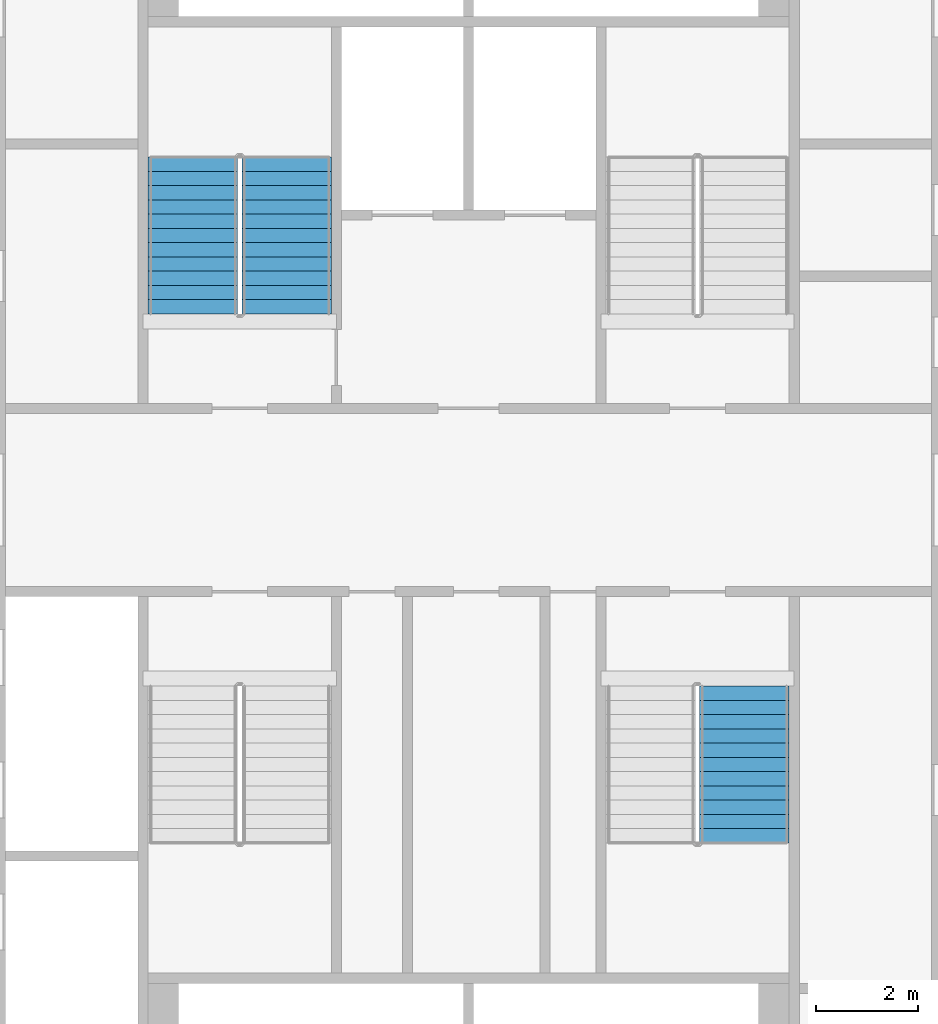
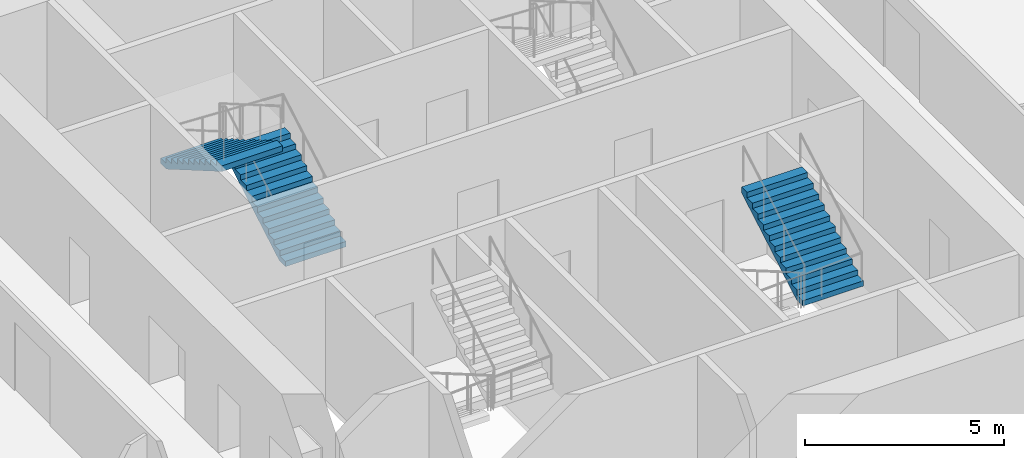
# One storey, part 9 of 15: 3 stair flights, 2 elements without a shape of their own.
"""IFC4 building model written with IfcOpenShell, lengths in metres."""

from ifc_helpers import new_model, si_unit, direction, frame, origin, place, context, subcontext, project, spatial, faceted_brep, material, type_object, element, aggregate, save


model = new_model("IFC4")

# Units and contexts
model_context = context("Model", 3, precision=1e-05, world=origin(), true_north=direction((0.0, 1.0)))
body_context = subcontext(model_context, "Body", "Model", "MODEL_VIEW")
ifc_project = project(units=[si_unit("LENGTHUNIT", "METRE"), si_unit("AREAUNIT", "SQUARE_METRE"), si_unit("VOLUMEUNIT", "CUBIC_METRE"), si_unit("PLANEANGLEUNIT", "RADIAN"), si_unit("MASSUNIT", "GRAM", prefix="KILO")], contexts=[model_context])

# Site, building, storey
site_placement = place(None, origin())
site = spatial("IfcSite", under=ifc_project, at=site_placement, CompositionType="ELEMENT")
building_placement = place(site_placement, origin())
building = spatial("IfcBuilding", under=site, at=building_placement, Name="Tarsis Ring Headquarters", CompositionType="ELEMENT")
storey_placement = place(building_placement, frame((0.0, 0.0, 51.699951171875)))
storey = spatial("IfcBuildingStorey", under=building, at=storey_placement, Name="L10", CompositionType="ELEMENT", Elevation=51.699951171875)

# Stair, stair flights
ifc_material_1 = material(Name="Core stair 1760")
stair_type = type_object("IfcStairType", Name="Core stair 1760", PredefinedType="HALF_TURN_STAIR", material=ifc_material_1)
stair_1_placement = place(storey_placement, origin())
stair_1 = element("IfcStair", 1, at=stair_1_placement, inside=storey, type_object=stair_type, Name="L10 Firefighting stair", PredefinedType="HALF_TURN_STAIR")
ifc_material_2 = material(Name="Concrete C40/50", Category="concrete")
stair_flight_type = type_object("IfcStairFlightType", Name="Core stair flight 1760", PredefinedType="STRAIGHT", material=ifc_material_2)
stair_flight_1_placement = place(storey_placement, frame((-3.580078125, 3.659912109375, 0.0), z_axis=(0.0, 0.0, 1.0), x_axis=(0.0, 1.0, 0.0)))
stair_flight_1 = element("IfcStairFlight", 2, at=stair_flight_1_placement, type_object=stair_flight_type, Name="Stair ST1 flight 1", NumberOfRisers=12, NumberOfTreads=11, PredefinedType="STRAIGHT", RiserHeight=0.1625, TreadLength=0.28, context=body_context, shape_type="Brep", body=[
    faceted_brep([(0.0, 0.8798828125, 0.0), (0.0, 0.8798828125, 0.16259765625), (0.280029296875, 0.8798828125, 0.16259765625), (0.280029296875, 0.8798828125, 0.324951171875), (0.56005859375, 0.8798828125, 0.324951171875), (0.56005859375, 0.8798828125, 0.487548828125), (0.840087890625, 0.8798828125, 0.487548828125), (0.840087890625, 0.8798828125, 0.64990234375), (1.1201171875, 0.8798828125, 0.64990234375), (1.1201171875, 0.8798828125, 0.8125), (1.39990234375, 0.8798828125, 0.8125), (1.39990234375, 0.8798828125, 0.97509765625), (1.679931640625, 0.8798828125, 0.97509765625), (1.679931640625, 0.8798828125, 1.137451171875), (1.9599609375, 0.8798828125, 1.137451171875), (1.9599609375, 0.8798828125, 1.300048828125), (2.239990234375, 0.8798828125, 1.300048828125), (2.239990234375, 0.8798828125, 1.46240234375), (2.52001953125, 0.8798828125, 1.46240234375), (2.52001953125, 0.8798828125, 1.625), (2.800048828125, 0.8798828125, 1.625), (2.800048828125, 0.8798828125, 1.78759765625), (3.080078125, 0.8798828125, 1.78759765625), (3.080078125, 0.8798828125, 1.6142578125), (0.298583984375, 0.8798828125, 0.0), (0.298583984375, -0.8798828125, 0.0), (3.080078125, -0.8798828125, 1.6142578125), (3.080078125, -0.8798828125, 1.78759765625), (2.800048828125, -0.8798828125, 1.78759765625), (2.800048828125, -0.8798828125, 1.625), (2.52001953125, -0.8798828125, 1.625), (2.52001953125, -0.8798828125, 1.46240234375), (2.239990234375, -0.8798828125, 1.46240234375), (2.239990234375, -0.8798828125, 1.300048828125), (1.9599609375, -0.8798828125, 1.300048828125), (1.9599609375, -0.8798828125, 1.137451171875), (1.679931640625, -0.8798828125, 1.137451171875), (1.679931640625, -0.8798828125, 0.97509765625), (1.39990234375, -0.8798828125, 0.97509765625), (1.39990234375, -0.8798828125, 0.8125), (1.1201171875, -0.8798828125, 0.8125), (1.1201171875, -0.8798828125, 0.64990234375), (0.840087890625, -0.8798828125, 0.64990234375), (0.840087890625, -0.8798828125, 0.487548828125), (0.56005859375, -0.8798828125, 0.487548828125), (0.56005859375, -0.8798828125, 0.324951171875), (0.280029296875, -0.8798828125, 0.324951171875), (0.280029296875, -0.8798828125, 0.16259765625), (0.0, -0.8798828125, 0.16259765625), (0.0, -0.8798828125, 0.0), (0.0, -0.43994140625, 0.16259765625), (0.0, -0.43994140625, 0.0), (0.0, 0.0, 0.16259765625), (0.0, 0.0, 0.0), (0.0, 0.43994140625, 0.16259765625), (0.0, 0.43994140625, 0.0), (0.280029296875, -0.43994140625, 0.16259765625), (0.280029296875, 0.0, 0.16259765625), (0.280029296875, 0.43994140625, 0.16259765625), (0.280029296875, -0.43994140625, 0.324951171875), (0.280029296875, 0.0, 0.324951171875), (0.280029296875, 0.43994140625, 0.324951171875), (0.56005859375, -0.43994140625, 0.324951171875), (0.56005859375, 0.0, 0.324951171875), (0.56005859375, 0.43994140625, 0.324951171875), (0.56005859375, -0.43994140625, 0.487548828125), (0.56005859375, 0.0, 0.487548828125), (0.56005859375, 0.43994140625, 0.487548828125), (0.840087890625, -0.43994140625, 0.487548828125), (0.840087890625, 0.0, 0.487548828125), (0.840087890625, 0.43994140625, 0.487548828125), (0.840087890625, -0.43994140625, 0.64990234375), (0.840087890625, 0.0, 0.64990234375), (0.840087890625, 0.43994140625, 0.64990234375), (1.1201171875, -0.43994140625, 0.64990234375), (1.1201171875, 0.0, 0.64990234375), (1.1201171875, 0.43994140625, 0.64990234375), (1.1201171875, -0.43994140625, 0.8125), (1.1201171875, 0.0, 0.8125), (1.1201171875, 0.43994140625, 0.8125), (1.39990234375, -0.43994140625, 0.8125), (1.39990234375, 0.0, 0.8125), (1.39990234375, 0.43994140625, 0.8125), (1.39990234375, -0.43994140625, 0.97509765625), (1.39990234375, 0.0, 0.97509765625), (1.39990234375, 0.43994140625, 0.97509765625), (1.679931640625, -0.43994140625, 0.97509765625), (1.679931640625, 0.0, 0.97509765625), (1.679931640625, 0.43994140625, 0.97509765625), (1.679931640625, -0.43994140625, 1.137451171875), (1.679931640625, 0.0, 1.137451171875), (1.679931640625, 0.43994140625, 1.137451171875), (1.9599609375, -0.43994140625, 1.137451171875), (1.9599609375, 0.0, 1.137451171875), (1.9599609375, 0.43994140625, 1.137451171875), (1.9599609375, -0.43994140625, 1.300048828125), (1.9599609375, 0.0, 1.300048828125), (1.9599609375, 0.43994140625, 1.300048828125), (2.239990234375, -0.43994140625, 1.300048828125), (2.239990234375, 0.0, 1.300048828125), (2.239990234375, 0.43994140625, 1.300048828125), (2.239990234375, -0.43994140625, 1.46240234375), (2.239990234375, 0.0, 1.46240234375), (2.239990234375, 0.43994140625, 1.46240234375), (2.52001953125, -0.43994140625, 1.46240234375), (2.52001953125, 0.0, 1.46240234375), (2.52001953125, 0.43994140625, 1.46240234375), (2.52001953125, -0.43994140625, 1.625), (2.52001953125, 0.0, 1.625), (2.52001953125, 0.43994140625, 1.625), (2.800048828125, -0.43994140625, 1.625), (2.800048828125, 0.0, 1.625), (2.800048828125, 0.43994140625, 1.625), (2.800048828125, -0.43994140625, 1.78759765625), (2.800048828125, 0.0, 1.78759765625), (2.800048828125, 0.43994140625, 1.78759765625), (3.080078125, -0.43994140625, 1.78759765625), (3.080078125, 0.0, 1.78759765625), (3.080078125, 0.43994140625, 1.78759765625), (3.080078125, -0.43994140625, 1.6142578125), (3.080078125, 0.0, 1.6142578125), (3.080078125, 0.43994140625, 1.6142578125), (0.298583984375, -0.43994140625, 0.0), (0.298583984375, 0.0, 0.0), (0.298583984375, 0.43994140625, 0.0)], [[[0, 1, 2, 3, 4, 5, 6, 7, 8, 9, 10, 11, 12, 13, 14, 15, 16, 17, 18, 19, 20, 21, 22, 23, 24]], [[25, 26, 27, 28, 29, 30, 31, 32, 33, 34, 35, 36, 37, 38, 39, 40, 41, 42, 43, 44, 45, 46, 47, 48, 49]], [[49, 48, 50, 51]], [[51, 50, 52, 53]], [[53, 52, 54, 55]], [[55, 54, 1, 0]], [[48, 47, 56, 50]], [[50, 56, 57, 52]], [[52, 57, 58, 54]], [[54, 58, 2, 1]], [[47, 46, 59, 56]], [[56, 59, 60, 57]], [[57, 60, 61, 58]], [[58, 61, 3, 2]], [[46, 45, 62, 59]], [[59, 62, 63, 60]], [[60, 63, 64, 61]], [[61, 64, 4, 3]], [[45, 44, 65, 62]], [[62, 65, 66, 63]], [[63, 66, 67, 64]], [[64, 67, 5, 4]], [[44, 43, 68, 65]], [[65, 68, 69, 66]], [[66, 69, 70, 67]], [[67, 70, 6, 5]], [[43, 42, 71, 68]], [[68, 71, 72, 69]], [[69, 72, 73, 70]], [[70, 73, 7, 6]], [[42, 41, 74, 71]], [[71, 74, 75, 72]], [[72, 75, 76, 73]], [[73, 76, 8, 7]], [[41, 40, 77, 74]], [[74, 77, 78, 75]], [[75, 78, 79, 76]], [[76, 79, 9, 8]], [[40, 39, 80, 77]], [[77, 80, 81, 78]], [[78, 81, 82, 79]], [[79, 82, 10, 9]], [[39, 38, 83, 80]], [[80, 83, 84, 81]], [[81, 84, 85, 82]], [[82, 85, 11, 10]], [[38, 37, 86, 83]], [[83, 86, 87, 84]], [[84, 87, 88, 85]], [[85, 88, 12, 11]], [[37, 36, 89, 86]], [[86, 89, 90, 87]], [[87, 90, 91, 88]], [[88, 91, 13, 12]], [[36, 35, 92, 89]], [[89, 92, 93, 90]], [[90, 93, 94, 91]], [[91, 94, 14, 13]], [[35, 34, 95, 92]], [[92, 95, 96, 93]], [[93, 96, 97, 94]], [[94, 97, 15, 14]], [[34, 33, 98, 95]], [[95, 98, 99, 96]], [[96, 99, 100, 97]], [[97, 100, 16, 15]], [[33, 32, 101, 98]], [[98, 101, 102, 99]], [[99, 102, 103, 100]], [[100, 103, 17, 16]], [[32, 31, 104, 101]], [[101, 104, 105, 102]], [[102, 105, 106, 103]], [[103, 106, 18, 17]], [[31, 30, 107, 104]], [[104, 107, 108, 105]], [[105, 108, 109, 106]], [[106, 109, 19, 18]], [[30, 29, 110, 107]], [[107, 110, 111, 108]], [[108, 111, 112, 109]], [[109, 112, 20, 19]], [[29, 28, 113, 110]], [[110, 113, 114, 111]], [[111, 114, 115, 112]], [[112, 115, 21, 20]], [[28, 27, 116, 113]], [[113, 116, 117, 114]], [[114, 117, 118, 115]], [[115, 118, 22, 21]], [[27, 26, 119, 116]], [[116, 119, 120, 117]], [[117, 120, 121, 118]], [[118, 121, 23, 22]], [[26, 25, 122, 119]], [[119, 122, 123, 120]], [[120, 123, 124, 121]], [[121, 124, 24, 23]], [[25, 49, 51, 122]], [[122, 51, 53, 123]], [[123, 53, 55, 124]], [[124, 55, 0, 24]]]),
])
stair_flight_2_placement = place(storey_placement, frame((-5.419921875, 6.739990234375, 1.949951171875), z_axis=(0.0, 0.0, 1.0), x_axis=(0.0, -1.0, 0.0)))
stair_flight_2 = element("IfcStairFlight", 3, at=stair_flight_2_placement, type_object=stair_flight_type, Name="Stair ST1 flight 2", NumberOfRisers=12, NumberOfTreads=11, PredefinedType="STRAIGHT", RiserHeight=0.1625, TreadLength=0.28, context=body_context, shape_type="Brep", body=[
    faceted_brep([(0.0, 0.8798828125, 0.0), (0.0, 0.8798828125, 0.16259765625), (0.280029296875, 0.8798828125, 0.16259765625), (0.280029296875, 0.8798828125, 0.324951171875), (0.56005859375, 0.8798828125, 0.324951171875), (0.56005859375, 0.8798828125, 0.487548828125), (0.840087890625, 0.8798828125, 0.487548828125), (0.840087890625, 0.8798828125, 0.64990234375), (1.1201171875, 0.8798828125, 0.64990234375), (1.1201171875, 0.8798828125, 0.8125), (1.39990234375, 0.8798828125, 0.8125), (1.39990234375, 0.8798828125, 0.97509765625), (1.679931640625, 0.8798828125, 0.97509765625), (1.679931640625, 0.8798828125, 1.137451171875), (1.9599609375, 0.8798828125, 1.137451171875), (1.9599609375, 0.8798828125, 1.300048828125), (2.239990234375, 0.8798828125, 1.300048828125), (2.239990234375, 0.8798828125, 1.46240234375), (2.52001953125, 0.8798828125, 1.46240234375), (2.52001953125, 0.8798828125, 1.625), (2.800048828125, 0.8798828125, 1.625), (2.800048828125, 0.8798828125, 1.78759765625), (3.080078125, 0.8798828125, 1.78759765625), (3.080078125, 0.8798828125, 1.6142578125), (0.298583984375, 0.8798828125, 0.0), (0.298583984375, -0.8798828125, 0.0), (3.080078125, -0.8798828125, 1.6142578125), (3.080078125, -0.8798828125, 1.78759765625), (2.800048828125, -0.8798828125, 1.78759765625), (2.800048828125, -0.8798828125, 1.625), (2.52001953125, -0.8798828125, 1.625), (2.52001953125, -0.8798828125, 1.46240234375), (2.239990234375, -0.8798828125, 1.46240234375), (2.239990234375, -0.8798828125, 1.300048828125), (1.9599609375, -0.8798828125, 1.300048828125), (1.9599609375, -0.8798828125, 1.137451171875), (1.679931640625, -0.8798828125, 1.137451171875), (1.679931640625, -0.8798828125, 0.97509765625), (1.39990234375, -0.8798828125, 0.97509765625), (1.39990234375, -0.8798828125, 0.8125), (1.1201171875, -0.8798828125, 0.8125), (1.1201171875, -0.8798828125, 0.64990234375), (0.840087890625, -0.8798828125, 0.64990234375), (0.840087890625, -0.8798828125, 0.487548828125), (0.56005859375, -0.8798828125, 0.487548828125), (0.56005859375, -0.8798828125, 0.324951171875), (0.280029296875, -0.8798828125, 0.324951171875), (0.280029296875, -0.8798828125, 0.16259765625), (0.0, -0.8798828125, 0.16259765625), (0.0, -0.8798828125, 0.0), (0.0, -0.43994140625, 0.16259765625), (0.0, -0.43994140625, 0.0), (0.0, 0.0, 0.16259765625), (0.0, 0.0, 0.0), (0.0, 0.43994140625, 0.16259765625), (0.0, 0.43994140625, 0.0), (0.280029296875, -0.43994140625, 0.16259765625), (0.280029296875, 0.0, 0.16259765625), (0.280029296875, 0.43994140625, 0.16259765625), (0.280029296875, -0.43994140625, 0.324951171875), (0.280029296875, 0.0, 0.324951171875), (0.280029296875, 0.43994140625, 0.324951171875), (0.56005859375, -0.43994140625, 0.324951171875), (0.56005859375, 0.0, 0.324951171875), (0.56005859375, 0.43994140625, 0.324951171875), (0.56005859375, -0.43994140625, 0.487548828125), (0.56005859375, 0.0, 0.487548828125), (0.56005859375, 0.43994140625, 0.487548828125), (0.840087890625, -0.43994140625, 0.487548828125), (0.840087890625, 0.0, 0.487548828125), (0.840087890625, 0.43994140625, 0.487548828125), (0.840087890625, -0.43994140625, 0.64990234375), (0.840087890625, 0.0, 0.64990234375), (0.840087890625, 0.43994140625, 0.64990234375), (1.1201171875, -0.43994140625, 0.64990234375), (1.1201171875, 0.0, 0.64990234375), (1.1201171875, 0.43994140625, 0.64990234375), (1.1201171875, -0.43994140625, 0.8125), (1.1201171875, 0.0, 0.8125), (1.1201171875, 0.43994140625, 0.8125), (1.39990234375, -0.43994140625, 0.8125), (1.39990234375, 0.0, 0.8125), (1.39990234375, 0.43994140625, 0.8125), (1.39990234375, -0.43994140625, 0.97509765625), (1.39990234375, 0.0, 0.97509765625), (1.39990234375, 0.43994140625, 0.97509765625), (1.679931640625, -0.43994140625, 0.97509765625), (1.679931640625, 0.0, 0.97509765625), (1.679931640625, 0.43994140625, 0.97509765625), (1.679931640625, -0.43994140625, 1.137451171875), (1.679931640625, 0.0, 1.137451171875), (1.679931640625, 0.43994140625, 1.137451171875), (1.9599609375, -0.43994140625, 1.137451171875), (1.9599609375, 0.0, 1.137451171875), (1.9599609375, 0.43994140625, 1.137451171875), (1.9599609375, -0.43994140625, 1.300048828125), (1.9599609375, 0.0, 1.300048828125), (1.9599609375, 0.43994140625, 1.300048828125), (2.239990234375, -0.43994140625, 1.300048828125), (2.239990234375, 0.0, 1.300048828125), (2.239990234375, 0.43994140625, 1.300048828125), (2.239990234375, -0.43994140625, 1.46240234375), (2.239990234375, 0.0, 1.46240234375), (2.239990234375, 0.43994140625, 1.46240234375), (2.52001953125, -0.43994140625, 1.46240234375), (2.52001953125, 0.0, 1.46240234375), (2.52001953125, 0.43994140625, 1.46240234375), (2.52001953125, -0.43994140625, 1.625), (2.52001953125, 0.0, 1.625), (2.52001953125, 0.43994140625, 1.625), (2.800048828125, -0.43994140625, 1.625), (2.800048828125, 0.0, 1.625), (2.800048828125, 0.43994140625, 1.625), (2.800048828125, -0.43994140625, 1.78759765625), (2.800048828125, 0.0, 1.78759765625), (2.800048828125, 0.43994140625, 1.78759765625), (3.080078125, -0.43994140625, 1.78759765625), (3.080078125, 0.0, 1.78759765625), (3.080078125, 0.43994140625, 1.78759765625), (3.080078125, -0.43994140625, 1.6142578125), (3.080078125, 0.0, 1.6142578125), (3.080078125, 0.43994140625, 1.6142578125), (0.298583984375, -0.43994140625, 0.0), (0.298583984375, 0.0, 0.0), (0.298583984375, 0.43994140625, 0.0)], [[[0, 1, 2, 3, 4, 5, 6, 7, 8, 9, 10, 11, 12, 13, 14, 15, 16, 17, 18, 19, 20, 21, 22, 23, 24]], [[25, 26, 27, 28, 29, 30, 31, 32, 33, 34, 35, 36, 37, 38, 39, 40, 41, 42, 43, 44, 45, 46, 47, 48, 49]], [[49, 48, 50, 51]], [[51, 50, 52, 53]], [[53, 52, 54, 55]], [[55, 54, 1, 0]], [[48, 47, 56, 50]], [[50, 56, 57, 52]], [[52, 57, 58, 54]], [[54, 58, 2, 1]], [[47, 46, 59, 56]], [[56, 59, 60, 57]], [[57, 60, 61, 58]], [[58, 61, 3, 2]], [[46, 45, 62, 59]], [[59, 62, 63, 60]], [[60, 63, 64, 61]], [[61, 64, 4, 3]], [[45, 44, 65, 62]], [[62, 65, 66, 63]], [[63, 66, 67, 64]], [[64, 67, 5, 4]], [[44, 43, 68, 65]], [[65, 68, 69, 66]], [[66, 69, 70, 67]], [[67, 70, 6, 5]], [[43, 42, 71, 68]], [[68, 71, 72, 69]], [[69, 72, 73, 70]], [[70, 73, 7, 6]], [[42, 41, 74, 71]], [[71, 74, 75, 72]], [[72, 75, 76, 73]], [[73, 76, 8, 7]], [[41, 40, 77, 74]], [[74, 77, 78, 75]], [[75, 78, 79, 76]], [[76, 79, 9, 8]], [[40, 39, 80, 77]], [[77, 80, 81, 78]], [[78, 81, 82, 79]], [[79, 82, 10, 9]], [[39, 38, 83, 80]], [[80, 83, 84, 81]], [[81, 84, 85, 82]], [[82, 85, 11, 10]], [[38, 37, 86, 83]], [[83, 86, 87, 84]], [[84, 87, 88, 85]], [[85, 88, 12, 11]], [[37, 36, 89, 86]], [[86, 89, 90, 87]], [[87, 90, 91, 88]], [[88, 91, 13, 12]], [[36, 35, 92, 89]], [[89, 92, 93, 90]], [[90, 93, 94, 91]], [[91, 94, 14, 13]], [[35, 34, 95, 92]], [[92, 95, 96, 93]], [[93, 96, 97, 94]], [[94, 97, 15, 14]], [[34, 33, 98, 95]], [[95, 98, 99, 96]], [[96, 99, 100, 97]], [[97, 100, 16, 15]], [[33, 32, 101, 98]], [[98, 101, 102, 99]], [[99, 102, 103, 100]], [[100, 103, 17, 16]], [[32, 31, 104, 101]], [[101, 104, 105, 102]], [[102, 105, 106, 103]], [[103, 106, 18, 17]], [[31, 30, 107, 104]], [[104, 107, 108, 105]], [[105, 108, 109, 106]], [[106, 109, 19, 18]], [[30, 29, 110, 107]], [[107, 110, 111, 108]], [[108, 111, 112, 109]], [[109, 112, 20, 19]], [[29, 28, 113, 110]], [[110, 113, 114, 111]], [[111, 114, 115, 112]], [[112, 115, 21, 20]], [[28, 27, 116, 113]], [[113, 116, 117, 114]], [[114, 117, 118, 115]], [[115, 118, 22, 21]], [[27, 26, 119, 116]], [[116, 119, 120, 117]], [[117, 120, 121, 118]], [[118, 121, 23, 22]], [[26, 25, 122, 119]], [[119, 122, 123, 120]], [[120, 123, 124, 121]], [[121, 124, 24, 23]], [[25, 49, 51, 122]], [[122, 51, 53, 123]], [[123, 53, 55, 124]], [[124, 55, 0, 24]]]),
])
aggregate(stair_1, [stair_flight_1, stair_flight_2])

# Stair, stair flight
stair_2_placement = place(storey_placement, origin())
stair_2 = element("IfcStair", 4, at=stair_2_placement, inside=storey, type_object=stair_type, Name="L10 Exit stair D", PredefinedType="HALF_TURN_STAIR")
stair_flight_3_placement = place(storey_placement, frame((5.419921875, -6.739990234375, 1.949951171875), z_axis=(0.0, 0.0, 1.0), x_axis=(0.0, 1.0, 0.0)))
stair_flight_3 = element("IfcStairFlight", 5, at=stair_flight_3_placement, type_object=stair_flight_type, Name="Stair ST4 flight 2", NumberOfRisers=12, NumberOfTreads=11, PredefinedType="STRAIGHT", RiserHeight=0.1625, TreadLength=0.28, context=body_context, shape_type="Brep", body=[
    faceted_brep([(0.0, 0.8798828125, 0.0), (0.0, 0.8798828125, 0.16259765625), (0.280029296875, 0.8798828125, 0.16259765625), (0.280029296875, 0.8798828125, 0.324951171875), (0.56005859375, 0.8798828125, 0.324951171875), (0.56005859375, 0.8798828125, 0.487548828125), (0.840087890625, 0.8798828125, 0.487548828125), (0.840087890625, 0.8798828125, 0.64990234375), (1.1201171875, 0.8798828125, 0.64990234375), (1.1201171875, 0.8798828125, 0.8125), (1.39990234375, 0.8798828125, 0.8125), (1.39990234375, 0.8798828125, 0.97509765625), (1.679931640625, 0.8798828125, 0.97509765625), (1.679931640625, 0.8798828125, 1.137451171875), (1.9599609375, 0.8798828125, 1.137451171875), (1.9599609375, 0.8798828125, 1.300048828125), (2.239990234375, 0.8798828125, 1.300048828125), (2.239990234375, 0.8798828125, 1.46240234375), (2.52001953125, 0.8798828125, 1.46240234375), (2.52001953125, 0.8798828125, 1.625), (2.800048828125, 0.8798828125, 1.625), (2.800048828125, 0.8798828125, 1.78759765625), (3.080078125, 0.8798828125, 1.78759765625), (3.080078125, 0.8798828125, 1.6142578125), (0.298583984375, 0.8798828125, 0.0), (0.298583984375, -0.8798828125, 0.0), (3.080078125, -0.8798828125, 1.6142578125), (3.080078125, -0.8798828125, 1.78759765625), (2.800048828125, -0.8798828125, 1.78759765625), (2.800048828125, -0.8798828125, 1.625), (2.52001953125, -0.8798828125, 1.625), (2.52001953125, -0.8798828125, 1.46240234375), (2.239990234375, -0.8798828125, 1.46240234375), (2.239990234375, -0.8798828125, 1.300048828125), (1.9599609375, -0.8798828125, 1.300048828125), (1.9599609375, -0.8798828125, 1.137451171875), (1.679931640625, -0.8798828125, 1.137451171875), (1.679931640625, -0.8798828125, 0.97509765625), (1.39990234375, -0.8798828125, 0.97509765625), (1.39990234375, -0.8798828125, 0.8125), (1.1201171875, -0.8798828125, 0.8125), (1.1201171875, -0.8798828125, 0.64990234375), (0.840087890625, -0.8798828125, 0.64990234375), (0.840087890625, -0.8798828125, 0.487548828125), (0.56005859375, -0.8798828125, 0.487548828125), (0.56005859375, -0.8798828125, 0.324951171875), (0.280029296875, -0.8798828125, 0.324951171875), (0.280029296875, -0.8798828125, 0.16259765625), (0.0, -0.8798828125, 0.16259765625), (0.0, -0.8798828125, 0.0), (0.0, -0.43994140625, 0.16259765625), (0.0, -0.43994140625, 0.0), (0.0, 0.0, 0.16259765625), (0.0, 0.0, 0.0), (0.0, 0.43994140625, 0.16259765625), (0.0, 0.43994140625, 0.0), (0.280029296875, -0.43994140625, 0.16259765625), (0.280029296875, 0.0, 0.16259765625), (0.280029296875, 0.43994140625, 0.16259765625), (0.280029296875, -0.43994140625, 0.324951171875), (0.280029296875, 0.0, 0.324951171875), (0.280029296875, 0.43994140625, 0.324951171875), (0.56005859375, -0.43994140625, 0.324951171875), (0.56005859375, 0.0, 0.324951171875), (0.56005859375, 0.43994140625, 0.324951171875), (0.56005859375, -0.43994140625, 0.487548828125), (0.56005859375, 0.0, 0.487548828125), (0.56005859375, 0.43994140625, 0.487548828125), (0.840087890625, -0.43994140625, 0.487548828125), (0.840087890625, 0.0, 0.487548828125), (0.840087890625, 0.43994140625, 0.487548828125), (0.840087890625, -0.43994140625, 0.64990234375), (0.840087890625, 0.0, 0.64990234375), (0.840087890625, 0.43994140625, 0.64990234375), (1.1201171875, -0.43994140625, 0.64990234375), (1.1201171875, 0.0, 0.64990234375), (1.1201171875, 0.43994140625, 0.64990234375), (1.1201171875, -0.43994140625, 0.8125), (1.1201171875, 0.0, 0.8125), (1.1201171875, 0.43994140625, 0.8125), (1.39990234375, -0.43994140625, 0.8125), (1.39990234375, 0.0, 0.8125), (1.39990234375, 0.43994140625, 0.8125), (1.39990234375, -0.43994140625, 0.97509765625), (1.39990234375, 0.0, 0.97509765625), (1.39990234375, 0.43994140625, 0.97509765625), (1.679931640625, -0.43994140625, 0.97509765625), (1.679931640625, 0.0, 0.97509765625), (1.679931640625, 0.43994140625, 0.97509765625), (1.679931640625, -0.43994140625, 1.137451171875), (1.679931640625, 0.0, 1.137451171875), (1.679931640625, 0.43994140625, 1.137451171875), (1.9599609375, -0.43994140625, 1.137451171875), (1.9599609375, 0.0, 1.137451171875), (1.9599609375, 0.43994140625, 1.137451171875), (1.9599609375, -0.43994140625, 1.300048828125), (1.9599609375, 0.0, 1.300048828125), (1.9599609375, 0.43994140625, 1.300048828125), (2.239990234375, -0.43994140625, 1.300048828125), (2.239990234375, 0.0, 1.300048828125), (2.239990234375, 0.43994140625, 1.300048828125), (2.239990234375, -0.43994140625, 1.46240234375), (2.239990234375, 0.0, 1.46240234375), (2.239990234375, 0.43994140625, 1.46240234375), (2.52001953125, -0.43994140625, 1.46240234375), (2.52001953125, 0.0, 1.46240234375), (2.52001953125, 0.43994140625, 1.46240234375), (2.52001953125, -0.43994140625, 1.625), (2.52001953125, 0.0, 1.625), (2.52001953125, 0.43994140625, 1.625), (2.800048828125, -0.43994140625, 1.625), (2.800048828125, 0.0, 1.625), (2.800048828125, 0.43994140625, 1.625), (2.800048828125, -0.43994140625, 1.78759765625), (2.800048828125, 0.0, 1.78759765625), (2.800048828125, 0.43994140625, 1.78759765625), (3.080078125, -0.43994140625, 1.78759765625), (3.080078125, 0.0, 1.78759765625), (3.080078125, 0.43994140625, 1.78759765625), (3.080078125, -0.43994140625, 1.6142578125), (3.080078125, 0.0, 1.6142578125), (3.080078125, 0.43994140625, 1.6142578125), (0.298583984375, -0.43994140625, 0.0), (0.298583984375, 0.0, 0.0), (0.298583984375, 0.43994140625, 0.0)], [[[0, 1, 2, 3, 4, 5, 6, 7, 8, 9, 10, 11, 12, 13, 14, 15, 16, 17, 18, 19, 20, 21, 22, 23, 24]], [[25, 26, 27, 28, 29, 30, 31, 32, 33, 34, 35, 36, 37, 38, 39, 40, 41, 42, 43, 44, 45, 46, 47, 48, 49]], [[49, 48, 50, 51]], [[51, 50, 52, 53]], [[53, 52, 54, 55]], [[55, 54, 1, 0]], [[48, 47, 56, 50]], [[50, 56, 57, 52]], [[52, 57, 58, 54]], [[54, 58, 2, 1]], [[47, 46, 59, 56]], [[56, 59, 60, 57]], [[57, 60, 61, 58]], [[58, 61, 3, 2]], [[46, 45, 62, 59]], [[59, 62, 63, 60]], [[60, 63, 64, 61]], [[61, 64, 4, 3]], [[45, 44, 65, 62]], [[62, 65, 66, 63]], [[63, 66, 67, 64]], [[64, 67, 5, 4]], [[44, 43, 68, 65]], [[65, 68, 69, 66]], [[66, 69, 70, 67]], [[67, 70, 6, 5]], [[43, 42, 71, 68]], [[68, 71, 72, 69]], [[69, 72, 73, 70]], [[70, 73, 7, 6]], [[42, 41, 74, 71]], [[71, 74, 75, 72]], [[72, 75, 76, 73]], [[73, 76, 8, 7]], [[41, 40, 77, 74]], [[74, 77, 78, 75]], [[75, 78, 79, 76]], [[76, 79, 9, 8]], [[40, 39, 80, 77]], [[77, 80, 81, 78]], [[78, 81, 82, 79]], [[79, 82, 10, 9]], [[39, 38, 83, 80]], [[80, 83, 84, 81]], [[81, 84, 85, 82]], [[82, 85, 11, 10]], [[38, 37, 86, 83]], [[83, 86, 87, 84]], [[84, 87, 88, 85]], [[85, 88, 12, 11]], [[37, 36, 89, 86]], [[86, 89, 90, 87]], [[87, 90, 91, 88]], [[88, 91, 13, 12]], [[36, 35, 92, 89]], [[89, 92, 93, 90]], [[90, 93, 94, 91]], [[91, 94, 14, 13]], [[35, 34, 95, 92]], [[92, 95, 96, 93]], [[93, 96, 97, 94]], [[94, 97, 15, 14]], [[34, 33, 98, 95]], [[95, 98, 99, 96]], [[96, 99, 100, 97]], [[97, 100, 16, 15]], [[33, 32, 101, 98]], [[98, 101, 102, 99]], [[99, 102, 103, 100]], [[100, 103, 17, 16]], [[32, 31, 104, 101]], [[101, 104, 105, 102]], [[102, 105, 106, 103]], [[103, 106, 18, 17]], [[31, 30, 107, 104]], [[104, 107, 108, 105]], [[105, 108, 109, 106]], [[106, 109, 19, 18]], [[30, 29, 110, 107]], [[107, 110, 111, 108]], [[108, 111, 112, 109]], [[109, 112, 20, 19]], [[29, 28, 113, 110]], [[110, 113, 114, 111]], [[111, 114, 115, 112]], [[112, 115, 21, 20]], [[28, 27, 116, 113]], [[113, 116, 117, 114]], [[114, 117, 118, 115]], [[115, 118, 22, 21]], [[27, 26, 119, 116]], [[116, 119, 120, 117]], [[117, 120, 121, 118]], [[118, 121, 23, 22]], [[26, 25, 122, 119]], [[119, 122, 123, 120]], [[120, 123, 124, 121]], [[121, 124, 24, 23]], [[25, 49, 51, 122]], [[122, 51, 53, 123]], [[123, 53, 55, 124]], [[124, 55, 0, 24]]]),
])
aggregate(stair_2, [stair_flight_3])

save(model, "model.ifc")
